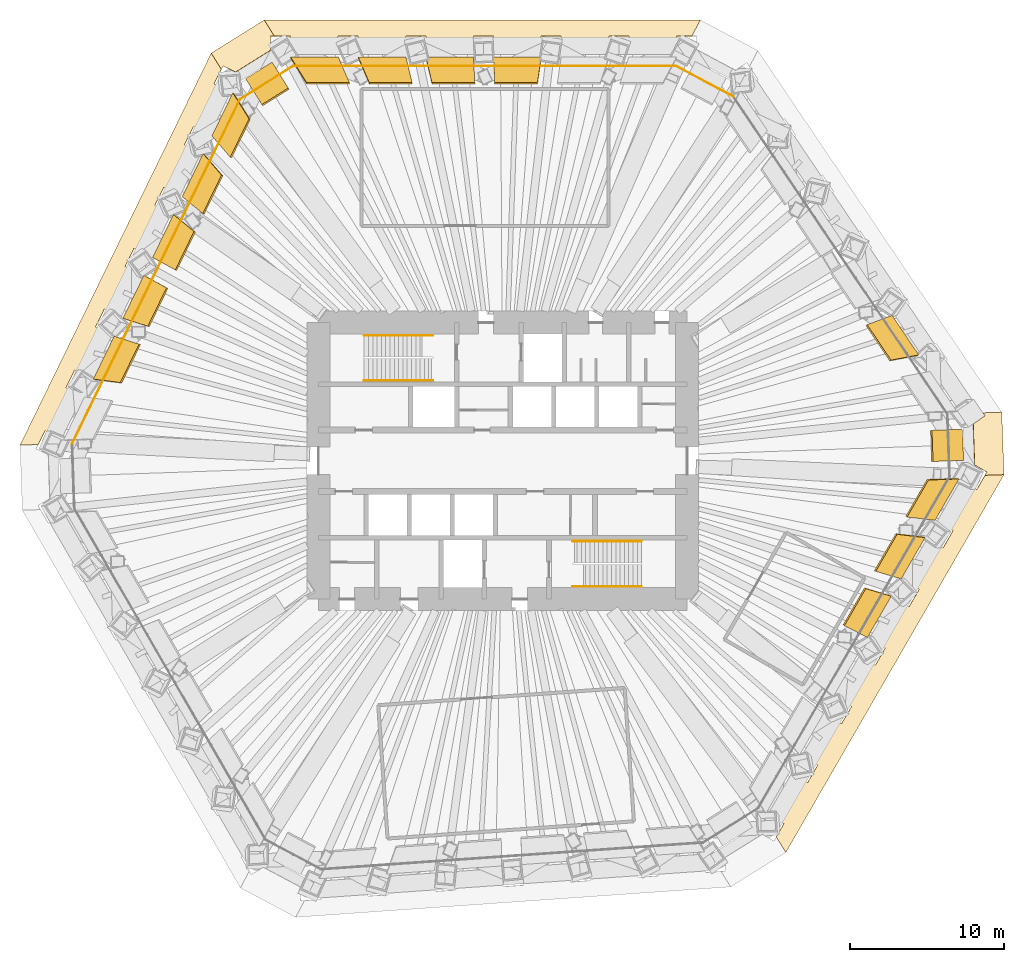
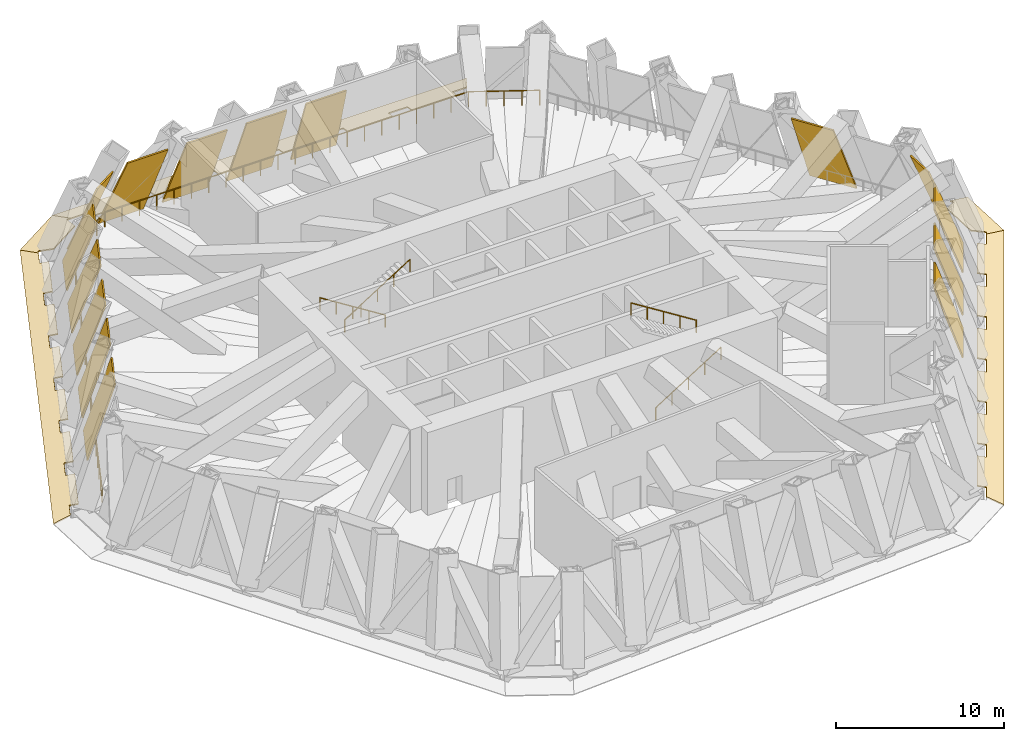
# One storey, part 10 of 12: 15 shading devices, 6 railings, 5 coverings.
"""IFC4 building model written with IfcOpenShell, lengths in metres."""

from ifc_helpers import new_model, si_unit, direction, frame, origin, origin_2d, place, context, subcontext, project, spatial, polyline, circle, outline, extrude, material, layer, layer_set, type_object, element, save


model = new_model("IFC4")

# Units and contexts
model_context = context("Model", 3, precision=1e-05, world=origin(), true_north=direction((0.0, 1.0)))
body_context = subcontext(model_context, "Body", "Model", "MODEL_VIEW")
ifc_project = project(units=[si_unit("LENGTHUNIT", "METRE"), si_unit("AREAUNIT", "SQUARE_METRE"), si_unit("VOLUMEUNIT", "CUBIC_METRE"), si_unit("PLANEANGLEUNIT", "RADIAN"), si_unit("MASSUNIT", "GRAM", prefix="KILO")], contexts=[model_context])

# Site, building, storey
site_placement = place(None, origin())
site = spatial("IfcSite", under=ifc_project, at=site_placement, CompositionType="ELEMENT")
building_placement = place(site_placement, origin())
building = spatial("IfcBuilding", under=site, at=building_placement, Name="Qingtian Harvest Tower", CompositionType="ELEMENT")
storey_placement = place(building_placement, frame((0.0, 0.0, 97.0)))
storey = spatial("IfcBuildingStorey", under=building, at=storey_placement, Name="L19", CompositionType="ELEMENT", Elevation=97.0)

# Coverings
ifc_material_1 = material(Name="Bronze-finished aluminium plate", Category="aluminium")
ifc_layer_1 = layer(ifc_material_1, 0.080078125)
ifc_layer_set_1 = layer_set([ifc_layer_1], Name="Bronze eave band EB1")
covering_type = type_object("IfcCoveringType", Name="Bronze eave band EB1", PredefinedType="CLADDING", material=ifc_layer_set_1)
covering_1_placement = place(storey_placement, frame((-13.821533203125, 27.10009765625, -0.02001953125), z_axis=(0.0, 0.184353063326, 0.98286008569), x_axis=(0.0, 0.98286008569, -0.184353063326)))
element("IfcCovering", 1, at=covering_1_placement, inside=storey, type_object=covering_type, Name="Eave band EB1 L19 1", PredefinedType="CLADDING", context=body_context, shape_type="SweptSolid", body=[
    extrude(outline(polyline([(0.0, 0.0), (0.5593744886956015, 0.0), (0.5593744886956015, 1.0561523437500002), (1.6277470840706647, 1.7121582031250004), (1.6277470840706647, -26.681640625000007), (0.5593744886956015, -26.123291015625007), (0.5593744886956015, -25.127685546875007), (0.0, -25.127685546875007), (0.0, -22.023193359375004), (0.5593744886956015, -22.023193359375004), (0.5593744886956015, -20.723144531250004), (0.0, -20.723144531250004), (0.0, -17.618408203125004), (0.5593744886956015, -17.618408203125004), (0.5593744886956015, -16.318359375000004), (0.0, -16.318359375000004), (0.0, -13.213867187500004), (0.5593744886956015, -13.213867187500004), (0.5593744886956015, -11.913818359375002), (0.0, -11.913818359375002), (0.0, -8.809326171875002), (0.5593744886956015, -8.809326171875002), (0.5593744886956015, -7.509277343750002), (0.0, -7.509277343750002), (0.0, -4.404785156250001), (0.5593744886956015, -4.404785156250001), (0.5593744886956015, -3.104736328125001), (0.0, -3.104736328125001), (0.0, 0.0)])), origin(), (0.0, 0.0, -1.0), 0.080078125),
])
covering_2_placement = place(storey_placement, frame((30.618408203125, 2.41259765625, -0.02001953125), z_axis=(0.156986455044, 0.005483641729, 0.987585531793), x_axis=(0.821639386041, 0.554109372872, -0.13368441271)))
element("IfcCovering", 2, at=covering_2_placement, inside=storey, type_object=covering_type, Name="Eave band EB1 L19 4", PredefinedType="CLADDING", context=body_context, shape_type="SweptSolid", body=[
    extrude(outline(polyline([(0.0, 0.0), (0.9252585556626072, -1.5612511283791264e-17), (0.9225970060190664, 0.24461442582342152), (1.989498638955953, -0.4136625712378925), (-0.14793553035507562, -3.877926743570727), (-1.2148371632919621, -3.2196497465094134), (-0.9949806809099794, -3.1123045178037905), (-1.4098404768070034, -2.2850610535784046), (0.0, 0.0)])), origin(), (0.0, 0.0, -1.0), 0.080078125),
])
covering_3_placement = place(storey_placement, frame((30.380126953125, -1.580322265625, -0.02001953125), z_axis=(0.15964661258, -0.092173281071, 0.982861661348), x_axis=(0.851260693234, -0.491296527957, -0.184344660274)))
element("IfcCovering", 3, at=covering_3_placement, inside=storey, type_object=covering_type, Name="Eave band EB1 L19 5", PredefinedType="CLADDING", context=body_context, shape_type="SweptSolid", body=[
    extrude(outline(polyline([(0.0, 0.0), (0.5595222044959633, 1.3193385186432982e-17), (0.5597370691778372, 1.0560622749389896), (1.62809543067765, 1.711972414397621), (1.6235139919776391, -26.681755889359792), (0.5554171534662791, -26.12343963530167), (0.5555297552140361, -25.127760508435607), (-0.004112394723323476, -25.12754905787415), (-0.003585509538858389, -22.023137054766362), (0.5559366949571052, -22.02313705476636), (0.5563124116736224, -20.72315097996895), (-0.0033297382637353934, -20.72293952940749), (-0.0029227985206663476, -17.618316075738242), (0.5567193514166924, -17.6185275262997), (0.5567672953741312, -16.318452039069218), (-0.002754909121832405, -16.318452039069218), (-0.0021401420610791533, -13.213706547271585), (0.5575020078762805, -13.213917997833049), (0.5575499518337184, -11.913842510602562), (-0.001972252662245211, -11.913842510602562), (-0.0015653129191752768, -8.809219056933314), (0.5579568915767883, -8.809219056933314), (0.558332608293306, -7.509232982135905), (-0.0011895962026571283, -7.509232982135904), (-0.0007826564595876384, -4.404609528466657), (0.5587395480363755, -4.404609528466657), (0.5589074374352098, -3.1047454917976336), (-0.0007347125021492928, -3.10453404123617), (0.0, 0.0)])), origin(), (0.0, 0.0, -1.0), 0.080078125),
])
covering_4_placement = place(storey_placement, frame((-29.313720703125, 1.718017578125, -0.02001953125), z_axis=(-0.165685421511, 0.080809772507, 0.982862208942), x_axis=(-0.883420066423, 0.430798222084, -0.184341742669)))
element("IfcCovering", 4, at=covering_4_placement, inside=storey, type_object=covering_type, Name="Eave band EB1 L19 11", PredefinedType="CLADDING", context=body_context, shape_type="SweptSolid", body=[
    extrude(outline(polyline([(0.0, 0.0), (0.559334051524319, 2.473336205982557e-18), (0.5594999682296558, 0.9955780648781756), (1.6278634867663802, 1.5538037934814515), (1.6259991572397359, -26.840072275818773), (0.5577919653459033, -26.183797120536177), (0.5577970821608252, -25.127727063250152), (-0.0018578234378345826, -25.127614633799276), (-0.0014979625721593948, -22.023064773386935), (0.5580517676793116, -22.022957763644147), (0.558076705212376, -20.722961043108008), (-0.00147302503909863, -20.7230680528508), (-0.0014340182477639019, -17.618405762987578), (0.5582208873508968, -17.618518192438458), (0.5584615036111137, -16.31841446215953), (-0.0011934019875479152, -16.318302032708655), (-0.0010492198490261728, -13.2138591820391), (0.5585005104024466, -13.213752172296314), (0.558630623282698, -11.913974890953838), (-0.0010242823159636316, -11.913862461502962), (-0.0007695967974763462, -8.809093161896959), (0.5588853088011848, -8.809205591347835), (0.5589102463342478, -7.509208870811696), (-0.0006394839172254585, -7.509315880554483), (-0.0003847983987381731, -4.404546580948479), (0.5592701071999234, -4.404659010399356), (0.5592950447329857, -3.104662289863217), (-0.00035986086567585396, -3.1045498604123405), (0.0, 0.0)])), origin(), (0.0, 0.0, -1.0), 0.080078125),
])
covering_5_placement = place(storey_placement, frame((-17.3984375, 25.31005859375, -0.02001953125), z_axis=(-0.083238003475, 0.133215799581, 0.987585432011), x_axis=(-0.890742943238, 0.434405991761, -0.133672897008)))
element("IfcCovering", 5, at=covering_5_placement, inside=storey, type_object=covering_type, Name="Eave band EB1 L19 12", PredefinedType="CLADDING", context=body_context, shape_type="SweptSolid", body=[
    extrude(outline(polyline([(0.0, 0.0), (0.9255722836010454, -6.591949208711867e-17), (0.922842865922309, 0.2447720069825797), (1.9896593910515532, -0.41376135457356267), (-0.14831138047425493, -3.8777161728238045), (-1.215127905603499, -3.219182811267663), (-0.9951374945578438, -3.111896828096841), (-1.4099976974242545, -2.284837825119838), (0.0, 0.0)])), origin(), (0.0, 0.0, -1.0), 0.080078125),
])

# Shading devices
ifc_material_2 = material(Name="Bronze-finished aluminium lattice", Category="aluminium")
ifc_layer_2 = layer(ifc_material_2, 0.10009765625)
ifc_layer_set_2 = layer_set([ifc_layer_2], Name="Bronze lattice screen LS1")
shading_device_type = type_object("IfcShadingDeviceType", Name="Bronze lattice screen LS1", PredefinedType="USERDEFINED", material=ifc_layer_set_2)
shading_device_1_placement = place(storey_placement, frame((-13.821533203125, 26.300048828125, 0.0), z_axis=(0.0, 0.948683298051, 0.316227766017), x_axis=(1.0, 0.0, 0.0)))
element("IfcShadingDevice", 6, at=shading_device_1_placement, inside=storey, type_object=shading_device_type, Name="Lattice screen LS1 L19 N0", ObjectType="SCREEN", PredefinedType="USERDEFINED", context=body_context, shape_type="SweptSolid", body=[
    extrude(outline(polyline([(0.0, 0.0), (3.104736328125, 0.0), (3.83203125, -5.32321886397973), (1.052001953125, -5.32321886397973), (0.0, 0.0)])), origin(), (0.0, 0.0, -1.0), 0.10009765625),
])
shading_device_2_placement = place(storey_placement, frame((-9.416748046875, 26.300048828125, 0.0), z_axis=(0.0, 0.948683298051, 0.316227766017), x_axis=(1.0, 0.0, 0.0)))
element("IfcShadingDevice", 7, at=shading_device_2_placement, inside=storey, type_object=shading_device_type, Name="Lattice screen LS1 L19 N1", ObjectType="SCREEN", PredefinedType="USERDEFINED", context=body_context, shape_type="SweptSolid", body=[
    extrude(outline(polyline([(0.0, 0.0), (3.1044921875, 0.0), (3.50732421875, -5.32321886397973), (0.727294921875, -5.32321886397973), (0.0, 0.0)])), origin(), (0.0, 0.0, -1.0), 0.10009765625),
])
shading_device_3_placement = place(storey_placement, frame((-5.01220703125, 26.300048828125, 0.0), z_axis=(0.0, 0.948683298051, 0.316227766017), x_axis=(1.0, 0.0, 0.0)))
element("IfcShadingDevice", 8, at=shading_device_3_placement, inside=storey, type_object=shading_device_type, Name="Lattice screen LS1 L19 N2", ObjectType="SCREEN", PredefinedType="USERDEFINED", context=body_context, shape_type="SweptSolid", body=[
    extrude(outline(polyline([(0.0, 0.0), (3.1044921875, 0.0), (3.182861328125, -5.32321886397973), (0.40283203125, -5.32321886397973), (0.0, 0.0)])), origin(), (0.0, 0.0, -1.0), 0.10009765625),
])
shading_device_4_placement = place(storey_placement, frame((-0.607666015625, 26.300048828125, 0.0), z_axis=(0.0, 0.948683298051, 0.316227766017), x_axis=(1.0, 0.0, 0.0)))
element("IfcShadingDevice", 9, at=shading_device_4_placement, inside=storey, type_object=shading_device_type, Name="Lattice screen LS1 L19 N3", ObjectType="SCREEN", PredefinedType="USERDEFINED", context=body_context, shape_type="SweptSolid", body=[
    extrude(outline(polyline([(0.0, 0.0), (3.1044921875, 0.0), (2.858642578125, -5.32321886397973), (0.078369140625, -5.32321886397973), (0.0, 0.0)])), origin(), (0.0, 0.0, -1.0), 0.10009765625),
])
shading_device_5_placement = place(storey_placement, frame((25.33349609375, 9.4736328125, 0.0), z_axis=(0.786490729628, 0.530506357637, 0.316220392633), x_axis=(0.559202297644, -0.829031236021, -3.420699e-06)))
element("IfcShadingDevice", 10, at=shading_device_5_placement, inside=storey, type_object=shading_device_type, Name="Lattice screen LS1 L19 NE4", ObjectType="SCREEN", PredefinedType="USERDEFINED", context=body_context, shape_type="SweptSolid", body=[
    extrude(outline(polyline([(0.0, 0.0), (3.1045251046573368, 0.0), (2.3772143563085146, -5.323213644715683), (-0.4030307927804004, -5.323192425858895), (0.0, 0.0)])), origin(), (0.0, 0.0, -1.0), 0.10009765625),
])
shading_device_6_placement = place(storey_placement, frame((29.918701171875, 2.059814453125, 0.0), z_axis=(0.930127754655, 0.032478874034, 0.365797051332), x_axis=(0.034897454607, -0.999390898329, 0.0)))
element("IfcShadingDevice", 11, at=shading_device_6_placement, inside=storey, type_object=shading_device_type, Name="Lattice screen LS1 L19 NEC", ObjectType="SCREEN", PredefinedType="USERDEFINED", context=body_context, shape_type="SweptSolid", body=[
    extrude(outline(polyline([(0.0, 0.0), (2.0288236505016273, 0.0), (2.0288932785385847, -5.426107123120407), (6.962803695763459e-05, -5.426107123120407), (0.0, 0.0)])), origin(), (0.0, 0.0, -1.0), 0.10009765625),
])
shading_device_7_placement = place(storey_placement, frame((29.687255859375, -1.18017578125, 0.0), z_axis=(0.821600793321, -0.474304726243, 0.316239091634), x_axis=(-0.499964648253, -0.866045813146, 5.468393e-06)))
element("IfcShadingDevice", 12, at=shading_device_7_placement, inside=storey, type_object=shading_device_type, Name="Lattice screen LS1 L19 SE0", ObjectType="SCREEN", PredefinedType="USERDEFINED", context=body_context, shape_type="SweptSolid", body=[
    extrude(outline(polyline([(0.0, 0.0), (3.10462347992362, 0.0), (3.8320374531472536, -5.323217959189441), (1.0519489395368777, -5.323251879935185), (0.0, 0.0)])), origin(), (0.0, 0.0, -1.0), 0.10009765625),
])
shading_device_8_placement = place(storey_placement, frame((27.48486328125, -4.994873046875, 0.0), z_axis=(0.821594071973, -0.47432356814, 0.316228293492), x_axis=(-0.499984221113, -0.866034513467, 1.1041349e-05)))
element("IfcShadingDevice", 13, at=shading_device_8_placement, inside=storey, type_object=shading_device_type, Name="Lattice screen LS1 L19 SE1", ObjectType="SCREEN", PredefinedType="USERDEFINED", context=body_context, shape_type="SweptSolid", body=[
    extrude(outline(polyline([(0.0, 0.0), (3.1044120459315536, 1.1102230246251565e-16), (3.507357238512415, -5.323179030177037), (0.7272687271334144, -5.323247517559511), (0.0, 0.0)])), origin(), (0.0, 0.0, -1.0), 0.10009765625),
])
shading_device_9_placement = place(storey_placement, frame((25.28271484375, -8.809326171875, 0.0), z_axis=(0.821577486497, -0.474353351886, 0.316226708606), x_axis=(-0.500018123596, -0.866014939622, 2.0693363e-05)))
element("IfcShadingDevice", 14, at=shading_device_9_placement, inside=storey, type_object=shading_device_type, Name="Lattice screen LS1 L19 SE2", ObjectType="SCREEN", PredefinedType="USERDEFINED", context=body_context, shape_type="SweptSolid", body=[
    extrude(outline(polyline([(0.0, 0.0), (3.1045341218400755, 1.1102230246251565e-16), (3.183058978852673, -5.3231474563321814), (0.4029704749030898, -5.323275815910831), (0.0, 0.0)])), origin(), (0.0, 0.0, -1.0), 0.10009765625),
])
shading_device_10_placement = place(storey_placement, frame((-26.663818359375, 5.326171875, 0.0), z_axis=(-0.852659955909, 0.415900007113, 0.316224894137), x_axis=(0.438398580755, 0.898780665319, 6.417707e-06)))
element("IfcShadingDevice", 15, at=shading_device_10_placement, inside=storey, type_object=shading_device_type, Name="Lattice screen LS1 L19 NW1", ObjectType="SCREEN", PredefinedType="USERDEFINED", context=body_context, shape_type="SweptSolid", body=[
    extrude(outline(polyline([(0.0, 0.0), (3.1045498807707803, 5.551115123125783e-17), (3.3508489628228397, -5.323190824613163), (0.5706961735976532, -5.323230633744543), (0.0, 0.0)])), origin(), (0.0, 0.0, -1.0), 0.10009765625),
])
shading_device_11_placement = place(storey_placement, frame((-24.73291015625, 9.284912109375, 0.0), z_axis=(-0.852666038749, 0.415883777127, 0.316229837755), x_axis=(0.438380770526, 0.898789352424, 1.53161e-06)))
element("IfcShadingDevice", 16, at=shading_device_11_placement, inside=storey, type_object=shading_device_type, Name="Lattice screen LS1 L19 NW2", ObjectType="SCREEN", PredefinedType="USERDEFINED", context=body_context, shape_type="SweptSolid", body=[
    extrude(outline(polyline([(0.0, 0.0), (3.104769310031332, 0.0), (3.026174410722671, -5.323217853322503), (0.24602162055542418, -5.323227354292668), (0.0, 0.0)])), origin(), (0.0, 0.0, -1.0), 0.10009765625),
])
shading_device_12_placement = place(storey_placement, frame((-22.802001953125, 13.24365234375, 0.0), z_axis=(-0.852683469664, 0.415852921323, 0.316223415306), x_axis=(0.438344255388, 0.898807161574, -8.485315e-06)))
element("IfcShadingDevice", 17, at=shading_device_12_placement, inside=storey, type_object=shading_device_type, Name="Lattice screen LS1 L19 NW3", ObjectType="SCREEN", PredefinedType="USERDEFINED", context=body_context, shape_type="SweptSolid", body=[
    extrude(outline(polyline([(0.0, 0.0), (3.1046622891409106, -5.551115123125783e-17), (2.7016583499823192, -5.323234891173363), (-0.07849443849538384, -5.323182255660383), (0.0, 0.0)])), origin(), (0.0, 0.0, -1.0), 0.10009765625),
])
shading_device_13_placement = place(storey_placement, frame((-20.87109375, 17.20263671875, 0.0), z_axis=(-0.852680315318, 0.415870578455, 0.316208699823), x_axis=(0.438362064893, 0.898798475772, -3.599892e-06)))
element("IfcShadingDevice", 18, at=shading_device_13_placement, inside=storey, type_object=shading_device_type, Name="Lattice screen LS1 L19 NW4", ObjectType="SCREEN", PredefinedType="USERDEFINED", context=body_context, shape_type="SweptSolid", body=[
    extrude(outline(polyline([(0.0, 0.0), (3.1044428538354403, -5.551115123125783e-17), (2.3770998566966974, -5.323192224391997), (-0.4030529332131306, -5.32316989473903), (0.0, 0.0)])), origin(), (0.0, 0.0, -1.0), 0.10009765625),
])
shading_device_14_placement = place(storey_placement, frame((-18.9404296875, 21.161376953125, 0.0), z_axis=(-0.852682213211, 0.415852308552, 0.316227609083), x_axis=(0.438350607849, 0.898804063429, 1.2717897e-05)))
element("IfcShadingDevice", 19, at=shading_device_14_placement, inside=storey, type_object=shading_device_type, Name="Lattice screen LS1 L19 NW5", ObjectType="SCREEN", PredefinedType="USERDEFINED", context=body_context, shape_type="SweptSolid", body=[
    extrude(outline(polyline([(0.0, 0.0), (3.104769307556842, 5.551115123125783e-17), (2.05287074089806, -5.323191050474712), (-0.7271750288703063, -5.32326994136114), (0.0, 0.0)])), origin(), (0.0, 0.0, -1.0), 0.10009765625),
])
shading_device_15_placement = place(storey_placement, frame((-16.7431640625, 24.88037109375, 0.0), z_axis=(-0.493198340147, 0.78927414625, 0.365789173347), x_axis=(0.848042007764, 0.529929007288, -1.73712e-05)))
element("IfcShadingDevice", 20, at=shading_device_15_placement, inside=storey, type_object=shading_device_type, Name="Lattice screen LS1 L19 NWC", ObjectType="SCREEN", PredefinedType="USERDEFINED", context=body_context, shape_type="SweptSolid", body=[
    extrude(outline(polyline([(0.0, 0.0), (2.028798675979432, 0.0), (2.0285899701483583, -5.4261269352221735), (-7.932863202854414e-05, -5.426051203772579), (0.0, 0.0)])), origin(), (0.0, 0.0, -1.0), 0.10009765625),
])

# Railings
ifc_material_3 = material(Name="Stainless steel handrail", Category="steel")
railing_type_1 = type_object("IfcRailingType", Name="Handrail HR1", PredefinedType="HANDRAIL", material=ifc_material_3)
railing_1_placement = place(storey_placement, frame((-4.550048828125, 8.169921875, 0.176513671875)))
element("IfcRailing", 21, at=railing_1_placement, inside=storey, type_object=railing_type_1, Name="Handrail HR1 S1 flight 1", PredefinedType="HANDRAIL", context=body_context, shape_type="SweptSolid", body=[
    extrude(circle(Radius=0.02392578125, at=origin_2d()), frame((0.0, 0.0, 0.8759765625), z_axis=(-0.845997938375, 0.0, 0.533186166611), x_axis=(0.0, -1.0, 0.0)), (0.0, 0.0, 1.0), 5.29541015625),
    extrude(circle(Radius=0.02099609375, at=origin_2d()), origin(), (0.0, 0.0, 1.0), 0.851806640625),
    extrude(circle(Radius=0.02099609375, at=origin_2d()), frame((-1.1201171875, 0.0, 0.705810546875)), (0.0, 0.0, 1.0), 0.851806640625),
    extrude(circle(Radius=0.02099609375, at=origin_2d()), frame((-2.239990234375, 0.0, 1.41162109375)), (0.0, 0.0, 1.0), 0.851806640625),
    extrude(circle(Radius=0.02099609375, at=origin_2d()), frame((-3.35986328125, 0.0, 2.11767578125)), (0.0, 0.0, 1.0), 0.851806640625),
    extrude(circle(Radius=0.02099609375, at=origin_2d()), frame((-4.47998046875, 0.0, 2.823486328125)), (0.0, 0.0, 1.0), 0.851806640625),
])
for number, where, name in (
    (22, (-9.030029296875, 5.22998046875, 3.176513671875), "Handrail HR1 S1 flight 2"),
    (23, (4.550048828125, -8.169921875, 0.176513671875), "Handrail HR1 S2 flight 1"),
):
    element("IfcRailing", number, at=place(storey_placement, frame(where)), inside=storey, type_object=railing_type_1, Name=name, PredefinedType="HANDRAIL", context=body_context, shape_type="SweptSolid", body=[
        extrude(circle(Radius=0.02392578125, at=origin_2d()), frame((0.0, 0.0, 0.8759765625), z_axis=(0.845997938375, 0.0, 0.533186166611), x_axis=(0.0, 1.0, 0.0)), (0.0, 0.0, 1.0), 5.29541015625),
        extrude(circle(Radius=0.02099609375, at=origin_2d()), origin(), (0.0, 0.0, 1.0), 0.851806640625),
        extrude(circle(Radius=0.02099609375, at=origin_2d()), frame((1.1201171875, 0.0, 0.705810546875)), (0.0, 0.0, 1.0), 0.851806640625),
        extrude(circle(Radius=0.02099609375, at=origin_2d()), frame((2.239990234375, 0.0, 1.41162109375)), (0.0, 0.0, 1.0), 0.851806640625),
        extrude(circle(Radius=0.02099609375, at=origin_2d()), frame((3.35986328125, 0.0, 2.11767578125)), (0.0, 0.0, 1.0), 0.851806640625),
        extrude(circle(Radius=0.02099609375, at=origin_2d()), frame((4.47998046875, 0.0, 2.823486328125)), (0.0, 0.0, 1.0), 0.851806640625),
    ])
railing_2_placement = place(storey_placement, frame((9.030029296875, -5.22998046875, 3.176513671875)))
element("IfcRailing", 24, at=railing_2_placement, inside=storey, type_object=railing_type_1, Name="Handrail HR1 S2 flight 2", PredefinedType="HANDRAIL", context=body_context, shape_type="SweptSolid", body=[
    extrude(circle(Radius=0.02392578125, at=origin_2d()), frame((0.0, 0.0, 0.8759765625), z_axis=(-0.845997938375, 0.0, 0.533186166611), x_axis=(0.0, -1.0, 0.0)), (0.0, 0.0, 1.0), 5.29541015625),
    extrude(circle(Radius=0.02099609375, at=origin_2d()), origin(), (0.0, 0.0, 1.0), 0.851806640625),
    extrude(circle(Radius=0.02099609375, at=origin_2d()), frame((-1.1201171875, 0.0, 0.705810546875)), (0.0, 0.0, 1.0), 0.851806640625),
    extrude(circle(Radius=0.02099609375, at=origin_2d()), frame((-2.239990234375, 0.0, 1.41162109375)), (0.0, 0.0, 1.0), 0.851806640625),
    extrude(circle(Radius=0.02099609375, at=origin_2d()), frame((-3.35986328125, 0.0, 2.11767578125)), (0.0, 0.0, 1.0), 0.851806640625),
    extrude(circle(Radius=0.02099609375, at=origin_2d()), frame((-4.47998046875, 0.0, 2.823486328125)), (0.0, 0.0, 1.0), 0.851806640625),
])
ifc_material_4 = material(Name="Galvanised steel guard", Category="steel")
railing_type_2 = type_object("IfcRailingType", Name="Setback roof guard GR4 1100", PredefinedType="GUARDRAIL", material=ifc_material_4)
railing_3_placement = place(storey_placement, frame((-13.6591796875, 25.699951171875, 0.0)))
element("IfcRailing", 25, at=railing_3_placement, inside=storey, type_object=railing_type_2, Name="Setback roof guard GR4 L19 N", PredefinedType="GUARDRAIL", context=body_context, shape_type="SweptSolid", body=[
    extrude(circle(Radius=0.02392578125, at=origin_2d()), frame((0.0, 0.0, 1.076171875), z_axis=(1.0, 0.0, 0.0), x_axis=(0.0, 1.0, 0.0)), (0.0, 0.0, 1.0), 24.924072265625),
    extrude(circle(Radius=0.02392578125, at=origin_2d()), frame((24.924072265625, 0.0, 1.076171875), z_axis=(0.882948599748, -0.469469669099, 0.0), x_axis=(0.469469669099, 0.882948599748, 0.0)), (0.0, 0.0, 1.0), 4.23828125),
    extrude(circle(Radius=0.02099609375, at=origin_2d()), origin(), (0.0, 0.0, 1.0), 1.052001953125),
    extrude(circle(Radius=0.02099609375, at=origin_2d()), frame((1.186767578125, 0.0, 0.0)), (0.0, 0.0, 1.0), 1.052001953125),
    extrude(circle(Radius=0.02099609375, at=origin_2d()), frame((2.373779296875, 0.0, 0.0)), (0.0, 0.0, 1.0), 1.052001953125),
    extrude(circle(Radius=0.02099609375, at=origin_2d()), frame((3.560546875, 0.0, 0.0)), (0.0, 0.0, 1.0), 1.052001953125),
    extrude(circle(Radius=0.02099609375, at=origin_2d()), frame((4.74755859375, 0.0, 0.0)), (0.0, 0.0, 1.0), 1.052001953125),
    extrude(circle(Radius=0.02099609375, at=origin_2d()), frame((5.934326171875, 0.0, 0.0)), (0.0, 0.0, 1.0), 1.052001953125),
    extrude(circle(Radius=0.02099609375, at=origin_2d()), frame((7.12109375, 0.0, 0.0)), (0.0, 0.0, 1.0), 1.052001953125),
    extrude(circle(Radius=0.02099609375, at=origin_2d()), frame((8.30810546875, 0.0, 0.0)), (0.0, 0.0, 1.0), 1.052001953125),
    extrude(circle(Radius=0.02099609375, at=origin_2d()), frame((9.494873046875, 0.0, 0.0)), (0.0, 0.0, 1.0), 1.052001953125),
    extrude(circle(Radius=0.02099609375, at=origin_2d()), frame((10.681640625, 0.0, 0.0)), (0.0, 0.0, 1.0), 1.052001953125),
    extrude(circle(Radius=0.02099609375, at=origin_2d()), frame((11.86865234375, 0.0, 0.0)), (0.0, 0.0, 1.0), 1.052001953125),
    extrude(circle(Radius=0.02099609375, at=origin_2d()), frame((13.055419921875, 0.0, 0.0)), (0.0, 0.0, 1.0), 1.052001953125),
    extrude(circle(Radius=0.02099609375, at=origin_2d()), frame((14.242431640625, 0.0, 0.0)), (0.0, 0.0, 1.0), 1.052001953125),
    extrude(circle(Radius=0.02099609375, at=origin_2d()), frame((15.42919921875, 0.0, 0.0)), (0.0, 0.0, 1.0), 1.052001953125),
    extrude(circle(Radius=0.02099609375, at=origin_2d()), frame((16.615966796875, 0.0, 0.0)), (0.0, 0.0, 1.0), 1.052001953125),
    extrude(circle(Radius=0.02099609375, at=origin_2d()), frame((17.802978515625, 0.0, 0.0)), (0.0, 0.0, 1.0), 1.052001953125),
    extrude(circle(Radius=0.02099609375, at=origin_2d()), frame((18.98974609375, 0.0, 0.0)), (0.0, 0.0, 1.0), 1.052001953125),
    extrude(circle(Radius=0.02099609375, at=origin_2d()), frame((20.176513671875, 0.0, 0.0)), (0.0, 0.0, 1.0), 1.052001953125),
    extrude(circle(Radius=0.02099609375, at=origin_2d()), frame((21.363525390625, 0.0, 0.0)), (0.0, 0.0, 1.0), 1.052001953125),
    extrude(circle(Radius=0.02099609375, at=origin_2d()), frame((22.55029296875, 0.0, 0.0)), (0.0, 0.0, 1.0), 1.052001953125),
    extrude(circle(Radius=0.02099609375, at=origin_2d()), frame((23.7373046875, 0.0, 0.0)), (0.0, 0.0, 1.0), 1.052001953125),
    extrude(circle(Radius=0.02099609375, at=origin_2d()), frame((24.924072265625, 0.0, 0.0)), (0.0, 0.0, 1.0), 1.052001953125),
    extrude(circle(Radius=0.02099609375, at=origin_2d()), frame((25.859619140625, -0.49755859375, 0.0)), (0.0, 0.0, 1.0), 1.052001953125),
    extrude(circle(Radius=0.02099609375, at=origin_2d()), frame((26.795166015625, -0.994873046875, 0.0)), (0.0, 0.0, 1.0), 1.052001953125),
    extrude(circle(Radius=0.02099609375, at=origin_2d()), frame((27.730712890625, -1.4921875, 0.0)), (0.0, 0.0, 1.0), 1.052001953125),
    extrude(circle(Radius=0.02099609375, at=origin_2d()), frame((28.666259765625, -1.98974609375, 0.0)), (0.0, 0.0, 1.0), 1.052001953125),
])
railing_4_placement = place(storey_placement, frame((-28.037109375, 1.141357421875, 0.0)))
element("IfcRailing", 26, at=railing_4_placement, inside=storey, type_object=railing_type_2, Name="Setback roof guard GR4 L19 NW", PredefinedType="GUARDRAIL", context=body_context, shape_type="SweptSolid", body=[
    extrude(circle(Radius=0.02392578125, at=origin_2d()), frame((0.0, 0.0, 1.076171875), z_axis=(0.438364190199, 0.898797439222, 0.0), x_axis=(-0.898797439222, 0.438364190199, 0.0)), (0.0, 0.0, 1.0), 24.924072265625),
    extrude(circle(Radius=0.02392578125, at=origin_2d()), frame((10.92578125, 22.401611328125, 1.076171875), z_axis=(0.848065686315, 0.529891113055, 0.0), x_axis=(-0.529891113055, 0.848065686315, 0.0)), (0.0, 0.0, 1.0), 4.070556640625),
    extrude(circle(Radius=0.02099609375, at=origin_2d()), origin(), (0.0, 0.0, 1.0), 1.052001953125),
    extrude(circle(Radius=0.02099609375, at=origin_2d()), frame((0.520263671875, 1.066650390625, 0.0)), (0.0, 0.0, 1.0), 1.052001953125),
    extrude(circle(Radius=0.02099609375, at=origin_2d()), frame((1.04052734375, 2.133544921875, 0.0)), (0.0, 0.0, 1.0), 1.052001953125),
    extrude(circle(Radius=0.02099609375, at=origin_2d()), frame((1.560791015625, 3.2001953125, 0.0)), (0.0, 0.0, 1.0), 1.052001953125),
    extrude(circle(Radius=0.02099609375, at=origin_2d()), frame((2.0810546875, 4.26708984375, 0.0)), (0.0, 0.0, 1.0), 1.052001953125),
    extrude(circle(Radius=0.02099609375, at=origin_2d()), frame((2.601318359375, 5.333740234375, 0.0)), (0.0, 0.0, 1.0), 1.052001953125),
    extrude(circle(Radius=0.02099609375, at=origin_2d()), frame((3.12158203125, 6.400390625, 0.0)), (0.0, 0.0, 1.0), 1.052001953125),
    extrude(circle(Radius=0.02099609375, at=origin_2d()), frame((3.641845703125, 7.46728515625, 0.0)), (0.0, 0.0, 1.0), 1.052001953125),
    extrude(circle(Radius=0.02099609375, at=origin_2d()), frame((4.162109375, 8.533935546875, 0.0)), (0.0, 0.0, 1.0), 1.052001953125),
    extrude(circle(Radius=0.02099609375, at=origin_2d()), frame((4.682373046875, 9.6005859375, 0.0)), (0.0, 0.0, 1.0), 1.052001953125),
    extrude(circle(Radius=0.02099609375, at=origin_2d()), frame((5.20263671875, 10.66748046875, 0.0)), (0.0, 0.0, 1.0), 1.052001953125),
    extrude(circle(Radius=0.02099609375, at=origin_2d()), frame((5.72314453125, 11.734130859375, 0.0)), (0.0, 0.0, 1.0), 1.052001953125),
    extrude(circle(Radius=0.02099609375, at=origin_2d()), frame((6.243408203125, 12.801025390625, 0.0)), (0.0, 0.0, 1.0), 1.052001953125),
    extrude(circle(Radius=0.02099609375, at=origin_2d()), frame((6.763671875, 13.86767578125, 0.0)), (0.0, 0.0, 1.0), 1.052001953125),
    extrude(circle(Radius=0.02099609375, at=origin_2d()), frame((7.283935546875, 14.934326171875, 0.0)), (0.0, 0.0, 1.0), 1.052001953125),
    extrude(circle(Radius=0.02099609375, at=origin_2d()), frame((7.80419921875, 16.001220703125, 0.0)), (0.0, 0.0, 1.0), 1.052001953125),
    extrude(circle(Radius=0.02099609375, at=origin_2d()), frame((8.324462890625, 17.06787109375, 0.0)), (0.0, 0.0, 1.0), 1.052001953125),
    extrude(circle(Radius=0.02099609375, at=origin_2d()), frame((8.8447265625, 18.134521484375, 0.0)), (0.0, 0.0, 1.0), 1.052001953125),
    extrude(circle(Radius=0.02099609375, at=origin_2d()), frame((9.364990234375, 19.201416015625, 0.0)), (0.0, 0.0, 1.0), 1.052001953125),
    extrude(circle(Radius=0.02099609375, at=origin_2d()), frame((9.88525390625, 20.26806640625, 0.0)), (0.0, 0.0, 1.0), 1.052001953125),
    extrude(circle(Radius=0.02099609375, at=origin_2d()), frame((10.405517578125, 21.3349609375, 0.0)), (0.0, 0.0, 1.0), 1.052001953125),
    extrude(circle(Radius=0.02099609375, at=origin_2d()), frame((10.92578125, 22.401611328125, 0.0)), (0.0, 0.0, 1.0), 1.052001953125),
    extrude(circle(Radius=0.02099609375, at=origin_2d()), frame((11.788818359375, 22.94091796875, 0.0)), (0.0, 0.0, 1.0), 1.052001953125),
    extrude(circle(Radius=0.02099609375, at=origin_2d()), frame((12.65185546875, 23.47998046875, 0.0)), (0.0, 0.0, 1.0), 1.052001953125),
    extrude(circle(Radius=0.02099609375, at=origin_2d()), frame((13.514892578125, 24.019287109375, 0.0)), (0.0, 0.0, 1.0), 1.052001953125),
    extrude(circle(Radius=0.02099609375, at=origin_2d()), frame((14.3779296875, 24.55859375, 0.0)), (0.0, 0.0, 1.0), 1.052001953125),
])

save(model, "model.ifc")
